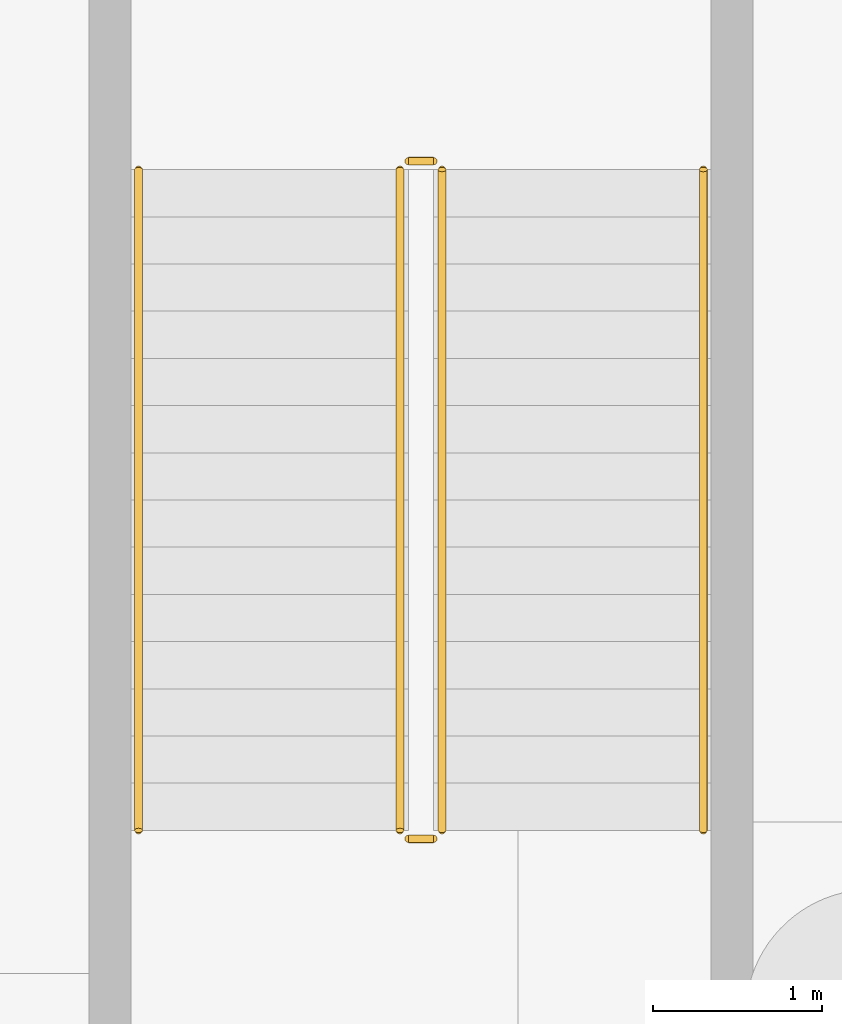
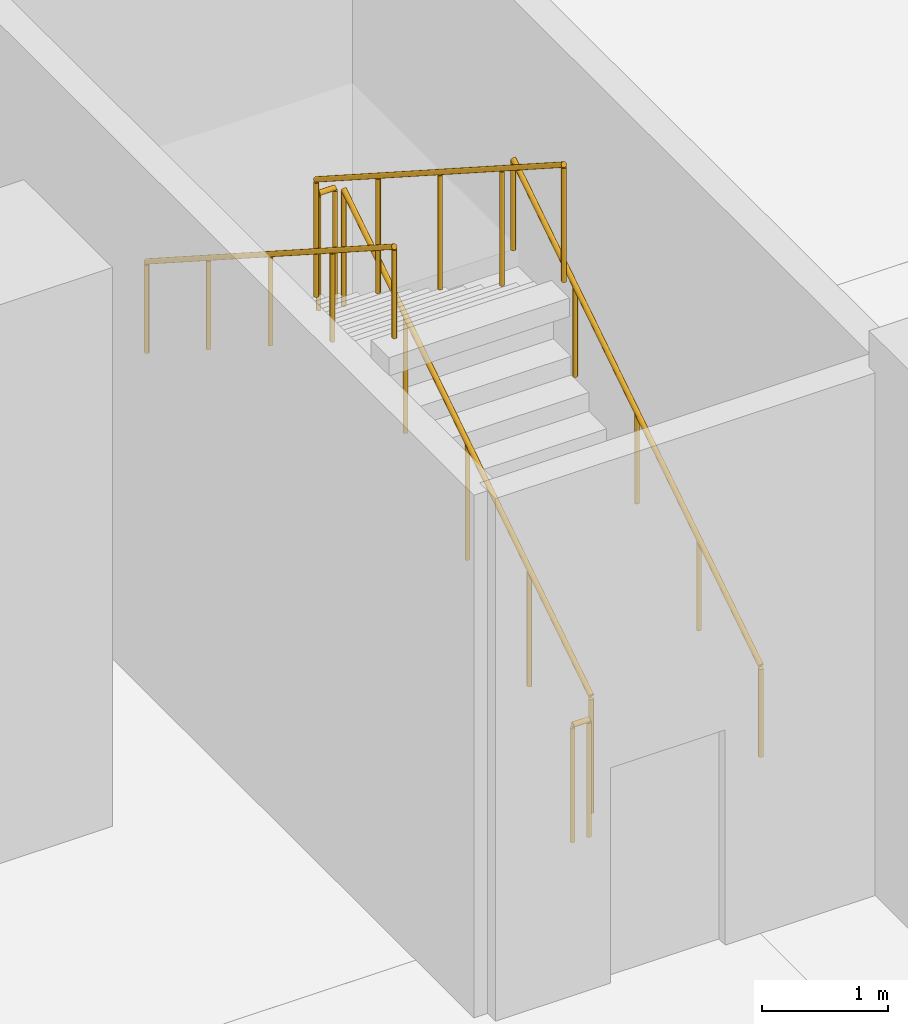
# One storey, part 15 of 16: 6 railings.
"""IFC4 building model written with IfcOpenShell, lengths in metres."""

from ifc_helpers import new_model, si_unit, direction, frame, origin, origin_2d, place, context, subcontext, project, spatial, circle, extrude, material, type_object, element, save


model = new_model("IFC4")

# Units and contexts
model_context = context("Model", 3, precision=1e-05, world=origin(), true_north=direction((0.0, 1.0)))
body_context = subcontext(model_context, "Body", "Model", "MODEL_VIEW")
ifc_project = project(units=[si_unit("LENGTHUNIT", "METRE"), si_unit("AREAUNIT", "SQUARE_METRE"), si_unit("VOLUMEUNIT", "CUBIC_METRE"), si_unit("PLANEANGLEUNIT", "RADIAN"), si_unit("MASSUNIT", "GRAM", prefix="KILO")], contexts=[model_context])

# Site, building, storey
site_placement = place(None, origin())
site = spatial("IfcSite", under=ifc_project, at=site_placement, CompositionType="ELEMENT")
building_placement = place(site_placement, origin())
building = spatial("IfcBuilding", under=site, at=building_placement, Name="Trevonay Congress Spire", CompositionType="ELEMENT")
storey_placement = place(building_placement, frame((0.0, 0.0, -10.800048828125)))
storey = spatial("IfcBuildingStorey", under=building, at=storey_placement, Name="B2", CompositionType="ELEMENT", Elevation=-10.800048828125)

# Railings
ifc_material = material(Name="Pale Anodised Aluminium EN AW-6063-T6", Category="aluminium")
railing_type_1 = type_object("IfcRailingType", Name="RAL-STAIR-GUARD-110", PredefinedType="GUARDRAIL", material=ifc_material)
railing_1_placement = place(storey_placement, frame((27.199951171875, 16.85009765625, 0.179931640625)))
element("IfcRailing", 1, at=railing_1_placement, inside=storey, type_object=railing_type_1, Name="B2 ST-6 stair guard 1", PredefinedType="GUARDRAIL", context=body_context, shape_type="SweptSolid", body=[
    extrude(circle(Radius=0.02392578125, at=origin_2d()), frame((0.0, 0.0, 1.1259765625), z_axis=(0.0, 0.841171666519, 0.540768182723), x_axis=(-1.0, 0.0, 0.0)), (0.0, 0.0, 1.0), 4.66015625),
    extrude(circle(Radius=0.02099609375, at=origin_2d()), origin(), (0.0, 0.0, 1.0), 1.101806640625),
    extrude(circle(Radius=0.02099609375, at=origin_2d()), frame((0.0, 0.97998046875, 0.6298828125)), (0.0, 0.0, 1.0), 1.101806640625),
    extrude(circle(Radius=0.02099609375, at=origin_2d()), frame((0.0, 1.9599609375, 1.260009765625)), (0.0, 0.0, 1.0), 1.101806640625),
    extrude(circle(Radius=0.02099609375, at=origin_2d()), frame((0.0, 2.93994140625, 1.89013671875)), (0.0, 0.0, 1.0), 1.101806640625),
    extrude(circle(Radius=0.02099609375, at=origin_2d()), frame((0.0, 3.919921875, 2.52001953125)), (0.0, 0.0, 1.0), 1.101806640625),
])
railing_2_placement = place(storey_placement, frame((27.14990234375, 20.820068359375, 2.699951171875)))
element("IfcRailing", 2, at=railing_2_placement, inside=storey, type_object=railing_type_1, Name="B2 ST-6 stair guard 2", PredefinedType="GUARDRAIL", context=body_context, shape_type="SweptSolid", body=[
    extrude(circle(Radius=0.02392578125, at=origin_2d()), frame((0.0, 0.0, 1.1259765625), z_axis=(-1.0, 0.0, 0.0), x_axis=(0.0, -1.0, 0.0)), (0.0, 0.0, 1.0), 0.14990234375),
    extrude(circle(Radius=0.02099609375, at=origin_2d()), origin(), (0.0, 0.0, 1.0), 1.101806640625),
    extrude(circle(Radius=0.02099609375, at=origin_2d()), frame((-0.14990234375, 0.0, 0.0)), (0.0, 0.0, 1.0), 1.101806640625),
])
railing_3_placement = place(storey_placement, frame((26.949951171875, 20.77001953125, 2.880126953125)))
element("IfcRailing", 3, at=railing_3_placement, inside=storey, type_object=railing_type_1, Name="B2 ST-6 stair guard 3", PredefinedType="GUARDRAIL", context=body_context, shape_type="SweptSolid", body=[
    extrude(circle(Radius=0.02392578125, at=origin_2d()), frame((0.0, 0.0, 1.1259765625), z_axis=(0.0, -0.841171666519, 0.540768182723), x_axis=(1.0, 0.0, 0.0)), (0.0, 0.0, 1.0), 4.66015625),
    extrude(circle(Radius=0.02099609375, at=origin_2d()), origin(), (0.0, 0.0, 1.0), 1.101806640625),
    extrude(circle(Radius=0.02099609375, at=origin_2d()), frame((0.0, -0.97998046875, 0.6298828125)), (0.0, 0.0, 1.0), 1.101806640625),
    extrude(circle(Radius=0.02099609375, at=origin_2d()), frame((0.0, -1.9599609375, 1.260009765625)), (0.0, 0.0, 1.0), 1.101806640625),
    extrude(circle(Radius=0.02099609375, at=origin_2d()), frame((0.0, -2.93994140625, 1.89013671875)), (0.0, 0.0, 1.0), 1.101806640625),
    extrude(circle(Radius=0.02099609375, at=origin_2d()), frame((0.0, -3.919921875, 2.52001953125)), (0.0, 0.0, 1.0), 1.101806640625),
])
railing_4_placement = place(storey_placement, frame((27.14990234375, 16.800048828125, 0.0)))
element("IfcRailing", 4, at=railing_4_placement, inside=storey, type_object=railing_type_1, Name="B2 ST-6 stair guard 4", PredefinedType="GUARDRAIL", context=body_context, shape_type="SweptSolid", body=[
    extrude(circle(Radius=0.02392578125, at=origin_2d()), frame((0.0, 0.0, 1.1259765625), z_axis=(-1.0, 0.0, 0.0), x_axis=(0.0, -1.0, 0.0)), (0.0, 0.0, 1.0), 0.14990234375),
    extrude(circle(Radius=0.02099609375, at=origin_2d()), origin(), (0.0, 0.0, 1.0), 1.101806640625),
    extrude(circle(Radius=0.02099609375, at=origin_2d()), frame((-0.14990234375, 0.0, 0.0)), (0.0, 0.0, 1.0), 1.101806640625),
])
railing_type_2 = type_object("IfcRailingType", Name="RAL-STAIR-HANDRAIL", PredefinedType="HANDRAIL", material=ifc_material)
railing_5_placement = place(storey_placement, frame((28.75, 16.85009765625, 0.179931640625)))
element("IfcRailing", 5, at=railing_5_placement, inside=storey, type_object=railing_type_2, Name="B2 ST-6 stair handrail 1", PredefinedType="HANDRAIL", context=body_context, shape_type="SweptSolid", body=[
    extrude(circle(Radius=0.02392578125, at=origin_2d()), frame((0.0, 0.0, 0.8759765625), z_axis=(0.0, 0.841171666519, 0.540768182723), x_axis=(-1.0, 0.0, 0.0)), (0.0, 0.0, 1.0), 4.66015625),
    extrude(circle(Radius=0.02099609375, at=origin_2d()), origin(), (0.0, 0.0, 1.0), 0.851806640625),
    extrude(circle(Radius=0.02099609375, at=origin_2d()), frame((0.0, 0.97998046875, 0.6298828125)), (0.0, 0.0, 1.0), 0.851806640625),
    extrude(circle(Radius=0.02099609375, at=origin_2d()), frame((0.0, 1.9599609375, 1.260009765625)), (0.0, 0.0, 1.0), 0.851806640625),
    extrude(circle(Radius=0.02099609375, at=origin_2d()), frame((0.0, 2.93994140625, 1.89013671875)), (0.0, 0.0, 1.0), 0.851806640625),
    extrude(circle(Radius=0.02099609375, at=origin_2d()), frame((0.0, 3.919921875, 2.52001953125)), (0.0, 0.0, 1.0), 0.851806640625),
])
railing_6_placement = place(storey_placement, frame((25.39990234375, 20.77001953125, 2.880126953125)))
element("IfcRailing", 6, at=railing_6_placement, inside=storey, type_object=railing_type_2, Name="B2 ST-6 stair handrail 2", PredefinedType="HANDRAIL", context=body_context, shape_type="SweptSolid", body=[
    extrude(circle(Radius=0.02392578125, at=origin_2d()), frame((0.0, 0.0, 0.8759765625), z_axis=(0.0, -0.841171666519, 0.540768182723), x_axis=(1.0, 0.0, 0.0)), (0.0, 0.0, 1.0), 4.66015625),
    extrude(circle(Radius=0.02099609375, at=origin_2d()), origin(), (0.0, 0.0, 1.0), 0.851806640625),
    extrude(circle(Radius=0.02099609375, at=origin_2d()), frame((0.0, -0.97998046875, 0.6298828125)), (0.0, 0.0, 1.0), 0.851806640625),
    extrude(circle(Radius=0.02099609375, at=origin_2d()), frame((0.0, -1.9599609375, 1.260009765625)), (0.0, 0.0, 1.0), 0.851806640625),
    extrude(circle(Radius=0.02099609375, at=origin_2d()), frame((0.0, -2.93994140625, 1.89013671875)), (0.0, 0.0, 1.0), 0.851806640625),
    extrude(circle(Radius=0.02099609375, at=origin_2d()), frame((0.0, -3.919921875, 2.52001953125)), (0.0, 0.0, 1.0), 0.851806640625),
])

save(model, "model.ifc")
